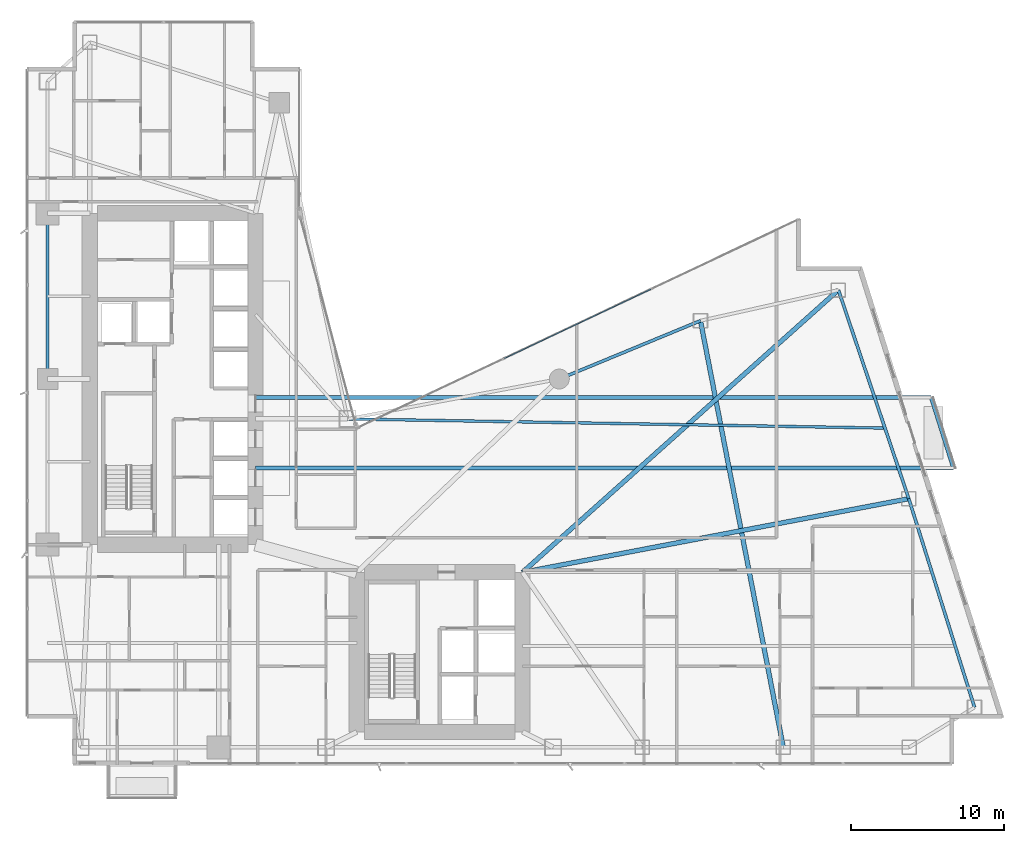
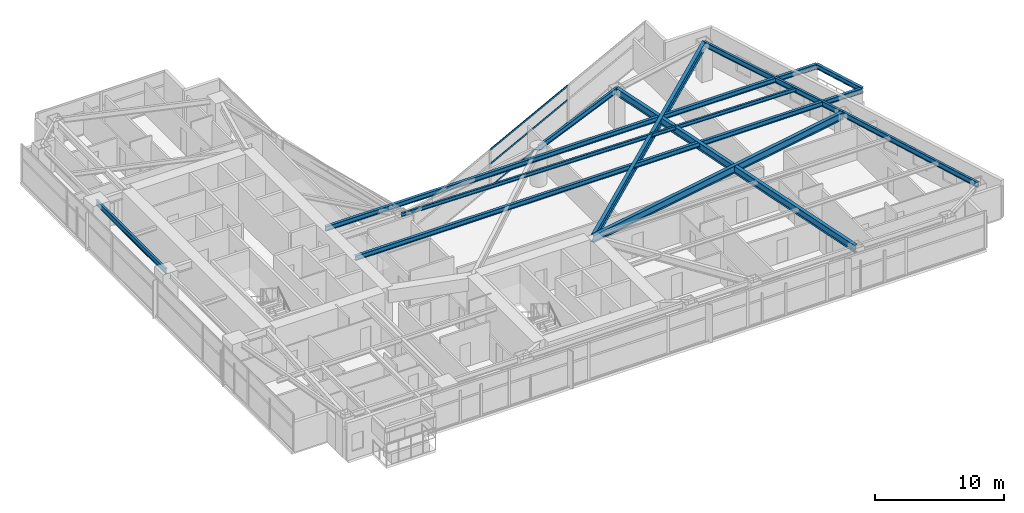
# One storey, part 15 of 29: 11 beams, 3 members, 1 element without a shape of its own.
"""IFC4 building model written with IfcOpenShell, lengths in metres."""

from ifc_helpers import new_model, si_unit, direction, frame, origin, origin_2d, place, context, subcontext, project, spatial, hollow_rectangle, i_section, extrude, material, layer, layer_set, material_profile, profile_set, type_object, element, aggregate, save


model = new_model("IFC4")

# Units and contexts
model_context = context("Model", 3, precision=1e-05, world=origin(), true_north=direction((0.0, 1.0)))
body_context = subcontext(model_context, "Body", "Model", "MODEL_VIEW")
ifc_project = project(units=[si_unit("LENGTHUNIT", "METRE"), si_unit("AREAUNIT", "SQUARE_METRE"), si_unit("VOLUMEUNIT", "CUBIC_METRE"), si_unit("PLANEANGLEUNIT", "RADIAN"), si_unit("MASSUNIT", "GRAM", prefix="KILO")], contexts=[model_context])

# Site, building, storey
site_placement = place(None, origin())
site = spatial("IfcSite", under=ifc_project, at=site_placement, CompositionType="ELEMENT")
building_placement = place(site_placement, origin())
building = spatial("IfcBuilding", under=site, at=building_placement, Name="Calvorn Quay Hotel", CompositionType="ELEMENT")
storey_placement = place(building_placement, frame((0.0, 0.0, 66.0)))
storey = spatial("IfcBuildingStorey", under=building, at=storey_placement, Name="L15", CompositionType="ELEMENT", Elevation=66.0)

# Beams
ifc_material_1 = material(Name="Steel Q355B", Category="steel")
ifc_material_profile_1 = material_profile(ifc_material_1, i_section(OverallWidth=0.25, OverallDepth=0.449951171875, WebThickness=0.011962890625, FlangeThickness=0.01611328125, FilletRadius=0.01611328125, at=origin_2d()), Name="HN450x250x12x16")
ifc_profile_set_1 = profile_set([ifc_material_profile_1], Name="Steel Q355B")
beam_type_1 = type_object("IfcBeamType", Name="BM-CANT-BALC", PredefinedType="BEAM", material=ifc_profile_set_1)
beam_1_placement = place(storey_placement, frame((15.0, 21.800048828125, 3.31494140625), z_axis=(1.0, 0.0, 0.0), x_axis=(0.0, 1.0, 0.0)))
element("IfcBeam", 1, at=beam_1_placement, inside=storey, type_object=beam_type_1, Name="Cantilever Balcony Beam BCB-L16-1A", PredefinedType="BEAM", context=body_context, shape_type="SweptSolid", body=[
    extrude(i_section(OverallWidth=0.25, OverallDepth=0.449951171875, WebThickness=0.011962890625, FlangeThickness=0.01611328125, FilletRadius=0.01611328125, at=origin_2d()), origin(), (0.0, 0.0, 1.0), 45.486083984375),
])
beam_2_placement = place(storey_placement, frame((15.0, 26.39990234375, 3.31494140625), z_axis=(1.0, 0.0, 0.0), x_axis=(0.0, 1.0, 0.0)))
element("IfcBeam", 2, at=beam_2_placement, inside=storey, type_object=beam_type_1, Name="Cantilever Balcony Beam BCB-L16-1B", PredefinedType="BEAM", context=body_context, shape_type="SweptSolid", body=[
    extrude(i_section(OverallWidth=0.25, OverallDepth=0.449951171875, WebThickness=0.011962890625, FlangeThickness=0.01611328125, FilletRadius=0.01611328125, at=origin_2d()), origin(), (0.0, 0.0, 1.0), 44.037109375),
])
beam_3_placement = place(storey_placement, frame((60.486083984375, 21.800048828125, 3.31494140625), z_axis=(-0.300450487966, 0.953797412599, 0.0), x_axis=(-0.953797412599, -0.300450487966, 0.0)))
element("IfcBeam", 3, at=beam_3_placement, inside=storey, type_object=beam_type_1, Name="Beam BCBO-L16-1", PredefinedType="BEAM", context=body_context, shape_type="SweptSolid", body=[
    extrude(i_section(OverallWidth=0.25, OverallDepth=0.449951171875, WebThickness=0.011962890625, FlangeThickness=0.01611328125, FilletRadius=0.01611328125, at=origin_2d()), origin(), (0.0, 0.0, 1.0), 4.82275390625),
])
ifc_material_2 = material(Name="Steel Q390GJC", Category="steel")
ifc_material_profile_2 = material_profile(ifc_material_2, i_section(OverallWidth=0.300048828125, OverallDepth=0.699951171875, WebThickness=0.012939453125, FlangeThickness=0.02392578125, FilletRadius=0.02392578125, at=origin_2d()), Name="HN700x300x13x24")
ifc_profile_set_2 = profile_set([ifc_material_profile_2], Name="Steel Q390GJC")
beam_type_2 = type_object("IfcBeamType", Name="BM-GIRD-MAIN", PredefinedType="BEAM", material=ifc_profile_set_2)
beam_4_placement = place(storey_placement, frame((32.39990234375, 15.0, 3.18994140625), z_axis=(0.982305450614, 0.18728588226, 0.0), x_axis=(-0.18728588226, 0.982305450614, 0.0)))
element("IfcBeam", 4, at=beam_4_placement, inside=storey, type_object=beam_type_2, Name="Beam BG-L15-E2", PredefinedType="BEAM", context=body_context, shape_type="SweptSolid", body=[
    extrude(i_section(OverallWidth=0.300048828125, OverallDepth=0.699951171875, WebThickness=0.012939453125, FlangeThickness=0.02392578125, FilletRadius=0.02392578125, at=origin_2d()), origin(), (0.0, 0.0, 1.0), 25.629638671875),
])
beam_5_placement = place(storey_placement, frame((32.39990234375, 15.0, 3.18994140625), z_axis=(0.745667316004, 0.666318432766, 0.0), x_axis=(-0.666318432766, 0.745667316004, 0.0)))
element("IfcBeam", 5, at=beam_5_placement, inside=storey, type_object=beam_type_2, Name="Beam BG-L15-E3", PredefinedType="BEAM", context=body_context, shape_type="SweptSolid", body=[
    extrude(i_section(OverallWidth=0.300048828125, OverallDepth=0.699951171875, WebThickness=0.012939453125, FlangeThickness=0.02392578125, FilletRadius=0.02392578125, at=origin_2d()), origin(), (0.0, 0.0, 1.0), 27.6142578125),
])
beam_6_placement = place(storey_placement, frame((49.39990234375, 3.60009765625, 3.18994140625), z_axis=(-0.190678596862, 0.981652521363, 0.0), x_axis=(-0.981652521363, -0.190678596862, 0.0)))
element("IfcBeam", 6, at=beam_6_placement, inside=storey, type_object=beam_type_2, Name="Beam BG-L15-E5", PredefinedType="BEAM", context=body_context, shape_type="SweptSolid", body=[
    extrude(i_section(OverallWidth=0.300048828125, OverallDepth=0.699951171875, WebThickness=0.012939453125, FlangeThickness=0.02392578125, FilletRadius=0.02392578125, at=origin_2d()), origin(), (0.0, 0.0, 1.0), 28.3193359375),
])
ifc_material_3 = material(Name="Steel Q355B", Category="steel")
ifc_material_profile_3 = material_profile(ifc_material_3, i_section(OverallWidth=0.175048828125, OverallDepth=0.35009765625, WebThickness=0.007080078125, FlangeThickness=0.010986328125, FilletRadius=0.013916015625, at=origin_2d()), Name="HN350x175x7x11")
ifc_profile_set_3 = profile_set([ifc_material_profile_3], Name="Steel Q355B")
beam_type_3 = type_object("IfcBeamType", Name="BM-JOIST-SEC", PredefinedType="JOIST", material=ifc_profile_set_3)
beam_7_placement = place(storey_placement, frame((21.0, 25.0, 3.364990234375), z_axis=(0.999854105858, -0.017081188436, 0.0), x_axis=(0.017081188436, 0.999854105858, 0.0)))
element("IfcBeam", 7, at=beam_7_placement, inside=storey, type_object=beam_type_3, Name="Beam BJ-L15-E3", PredefinedType="JOIST", context=body_context, shape_type="SweptSolid", body=[
    extrude(i_section(OverallWidth=0.175048828125, OverallDepth=0.35009765625, WebThickness=0.007080078125, FlangeThickness=0.010986328125, FilletRadius=0.013916015625, at=origin_2d()), origin(), (0.0, 0.0, 1.0), 35.132080078125),
])
ifc_material_4 = material(Name="Steel Q355B", Category="steel")
ifc_material_profile_4 = material_profile(ifc_material_4, i_section(OverallWidth=0.199951171875, OverallDepth=0.5, WebThickness=0.010009765625, FlangeThickness=0.01611328125, FilletRadius=0.01611328125, at=origin_2d()), Name="HN500x200x10x16")
ifc_profile_set_4 = profile_set([ifc_material_profile_4], Name="Steel Q355B")
beam_type_4 = type_object("IfcBeamType", Name="BM-SPANDREL-Z1", PredefinedType="SPANDREL", material=ifc_profile_set_4)
beam_8_placement = place(storey_placement, frame((1.449951171875, 27.60009765625, 3.2900390625), z_axis=(0.0, 1.0, 0.0), x_axis=(-1.0, 0.0, 0.0)))
element("IfcBeam", 8, at=beam_8_placement, inside=storey, type_object=beam_type_4, Name="Beam BSP-L15-W3", PredefinedType="SPANDREL", context=body_context, shape_type="SweptSolid", body=[
    extrude(i_section(OverallWidth=0.199951171875, OverallDepth=0.5, WebThickness=0.010009765625, FlangeThickness=0.01611328125, FilletRadius=0.01611328125, at=origin_2d()), origin(), (0.0, 0.0, 1.0), 10.7998046875),
])
beam_9_placement = place(storey_placement, frame((61.861083984375, 6.199951171875, 3.2900390625), z_axis=(-0.300518378216, 0.953776024208, 0.0), x_axis=(-0.953776024208, -0.300518378216, 0.0)))
element("IfcBeam", 9, at=beam_9_placement, inside=storey, type_object=beam_type_4, Name="Beam BSP-L15-E1", PredefinedType="SPANDREL", context=body_context, shape_type="SweptSolid", body=[
    extrude(i_section(OverallWidth=0.199951171875, OverallDepth=0.5, WebThickness=0.010009765625, FlangeThickness=0.01611328125, FilletRadius=0.01611328125, at=origin_2d()), origin(), (0.0, 0.0, 1.0), 14.25927734375),
])
beam_10_placement = place(storey_placement, frame((57.575927734375, 19.800048828125, 3.2900390625), z_axis=(-0.319466515944, 0.947597564998, 0.0), x_axis=(-0.947597564998, -0.319466515944, 0.0)))
element("IfcBeam", 10, at=beam_10_placement, inside=storey, type_object=beam_type_4, Name="Beam BSP-L15-E2", PredefinedType="SPANDREL", context=body_context, shape_type="SweptSolid", body=[
    extrude(i_section(OverallWidth=0.199951171875, OverallDepth=0.5, WebThickness=0.010009765625, FlangeThickness=0.01611328125, FilletRadius=0.01611328125, at=origin_2d()), origin(), (0.0, 0.0, 1.0), 14.35205078125),
])
beam_11_placement = place(storey_placement, frame((44.0, 31.39990234375, 3.2900390625), z_axis=(-0.92426763497, -0.381745123017, 0.0), x_axis=(0.381745123017, -0.92426763497, 0.0)))
element("IfcBeam", 11, at=beam_11_placement, inside=storey, type_object=beam_type_4, Name="Beam BSP-L15-E4", PredefinedType="SPANDREL", context=body_context, shape_type="SweptSolid", body=[
    extrude(i_section(OverallWidth=0.199951171875, OverallDepth=0.5, WebThickness=0.010009765625, FlangeThickness=0.01611328125, FilletRadius=0.01611328125, at=origin_2d()), origin(), (0.0, 0.0, 1.0), 9.953857421875),
])

# Curtain wall, members
ifc_material_5 = material(Name="Pale Anodised Aluminium and Low-E Glass", Category="aluminium")
ifc_layer = layer(ifc_material_5, 0.219970703125)
ifc_layer_set = layer_set([ifc_layer], Name="CW-SYS-Z1")
curtain_wall_type = type_object("IfcCurtainWallType", Name="CW-SYS-Z1", PredefinedType="NOTDEFINED", material=ifc_layer_set)
curtain_wall_placement = place(storey_placement, origin())
curtain_wall = element("IfcCurtainWall", 12, at=curtain_wall_placement, inside=storey, type_object=curtain_wall_type, Name="Inner Court Curtain Wall L15-NE1", PredefinedType="NOTDEFINED")
ifc_material_6 = material(Name="Pale Anodised Aluminium 6063-T6", Category="aluminium")
ifc_material_profile_5 = material_profile(ifc_material_6, hollow_rectangle(XDim=0.06494140625, YDim=0.1650390625, WallThickness=0.00341796875, at=origin_2d()), Name="ALU-T165x65x3.5")
ifc_profile_set_5 = profile_set([ifc_material_profile_5], Name="Pale Anodised Aluminium 6063-T6")
member_type = type_object("IfcMemberType", Name="CW-SYS-Z1-TRN", PredefinedType="USERDEFINED", material=ifc_profile_set_5)
member_1_placement = place(storey_placement, frame((40.77294921875, 33.453857421875, 0.030029296875), z_axis=(-0.904247654564, -0.427008406493, 0.0), x_axis=(0.427008406493, -0.904247654564, 0.0)))
member_1 = element("IfcMember", 13, at=member_1_placement, type_object=member_type, Name="CW-L15-NE1 transom 2.1", ObjectType="TRANSOM", PredefinedType="USERDEFINED", context=body_context, shape_type="SweptSolid", body=[
    extrude(hollow_rectangle(XDim=0.06494140625, YDim=0.1650390625, WallThickness=0.00341796875, at=origin_2d()), origin(), (0.0, 0.0, 1.0), 10.556640625),
])
member_2_placement = place(storey_placement, frame((40.77294921875, 33.453857421875, 2.199951171875), z_axis=(-0.904247654564, -0.427008406493, 0.0), x_axis=(0.427008406493, -0.904247654564, 0.0)))
member_2 = element("IfcMember", 14, at=member_2_placement, type_object=member_type, Name="CW-L15-NE1 transom 2.2", ObjectType="TRANSOM", PredefinedType="USERDEFINED", context=body_context, shape_type="SweptSolid", body=[
    extrude(hollow_rectangle(XDim=0.06494140625, YDim=0.1650390625, WallThickness=0.00341796875, at=origin_2d()), origin(), (0.0, 0.0, 1.0), 10.556640625),
])
member_3_placement = place(storey_placement, frame((40.77294921875, 33.453857421875, 3.530029296875), z_axis=(-0.904247654564, -0.427008406493, 0.0), x_axis=(0.427008406493, -0.904247654564, 0.0)))
member_3 = element("IfcMember", 15, at=member_3_placement, type_object=member_type, Name="CW-L15-NE1 transom 2.3", ObjectType="TRANSOM", PredefinedType="USERDEFINED", context=body_context, shape_type="SweptSolid", body=[
    extrude(hollow_rectangle(XDim=0.06494140625, YDim=0.1650390625, WallThickness=0.00341796875, at=origin_2d()), origin(), (0.0, 0.0, 1.0), 10.556640625),
])
aggregate(curtain_wall, [member_1, member_2, member_3])

save(model, "model.ifc")
